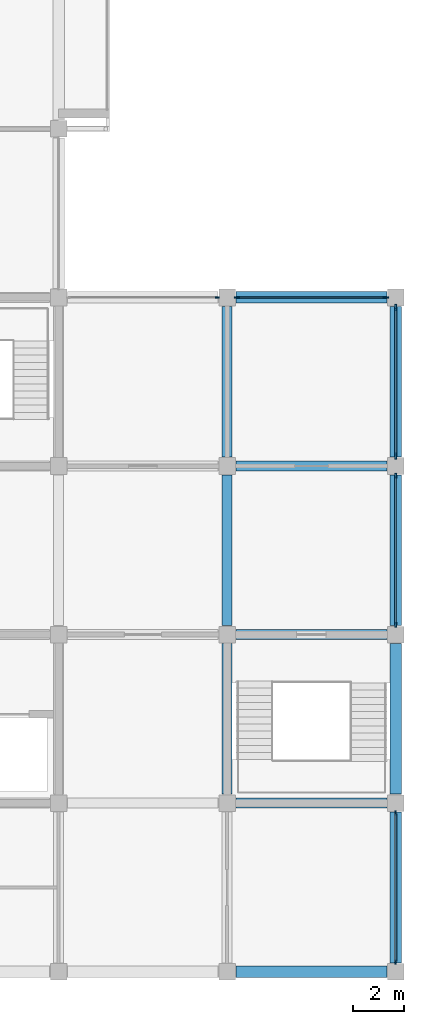
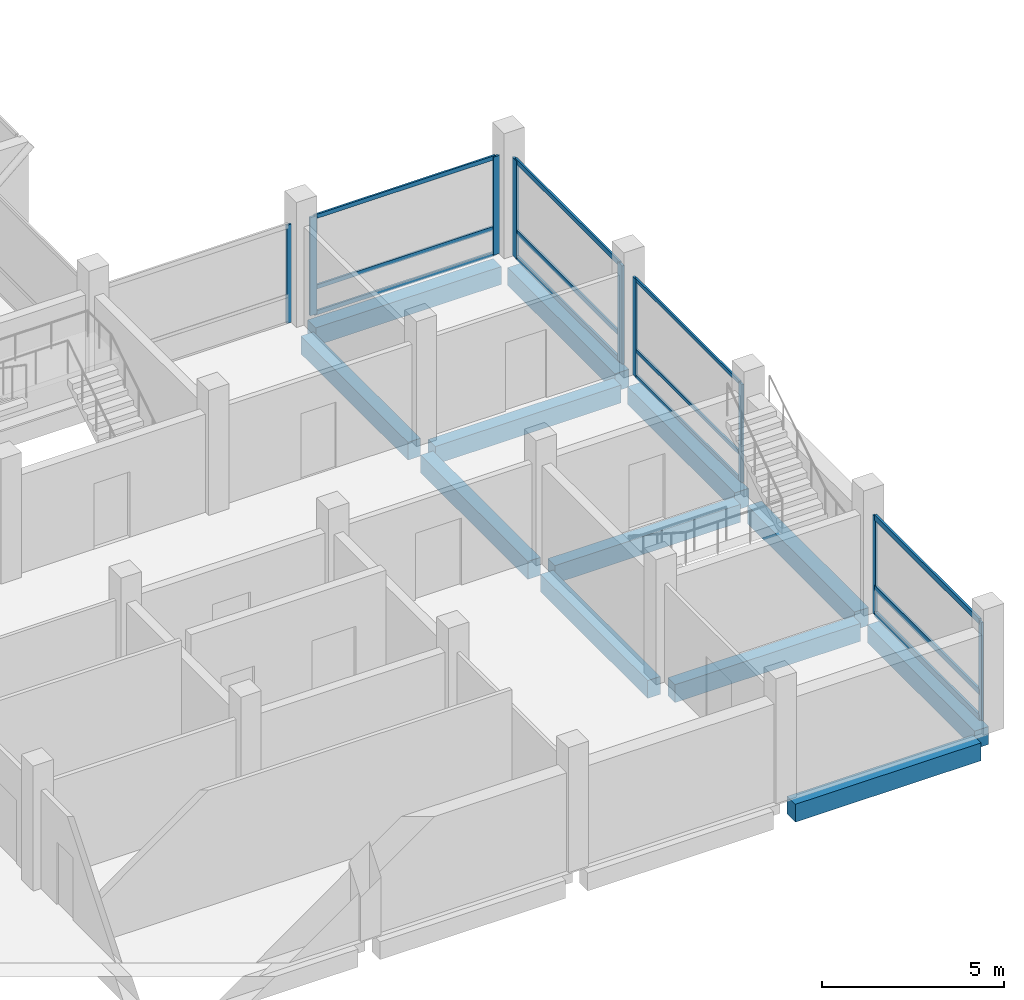
# One storey, part 3 of 10: 21 members, 12 beams, 5 elements without a shape of their own.
"""IFC4 building model written with IfcOpenShell, lengths in metres."""

from ifc_helpers import new_model, si_unit, direction, frame, origin, origin_2d, place, context, subcontext, project, spatial, rectangle, extrude, material, material_profile, profile_set, type_object, element, aggregate, save


model = new_model("IFC4")

# Units and contexts
model_context = context("Model", 3, precision=1e-05, world=origin(), true_north=direction((0.0, 1.0)))
body_context = subcontext(model_context, "Body", "Model", "MODEL_VIEW")
ifc_project = project(units=[si_unit("LENGTHUNIT", "METRE"), si_unit("AREAUNIT", "SQUARE_METRE"), si_unit("VOLUMEUNIT", "CUBIC_METRE"), si_unit("PLANEANGLEUNIT", "RADIAN"), si_unit("MASSUNIT", "GRAM", prefix="KILO")], contexts=[model_context])

# Site, building, storey
site_placement = place(None, origin())
site = spatial("IfcSite", under=ifc_project, at=site_placement, CompositionType="ELEMENT")
building_placement = place(site_placement, origin())
building = spatial("IfcBuilding", under=site, at=building_placement, Name="Rusizi Kubbe Research Institute", CompositionType="ELEMENT")
storey_placement = place(building_placement, frame((0.0, 0.0, 52.199951171875)))
storey = spatial("IfcBuildingStorey", under=building, at=storey_placement, Name="L12", CompositionType="ELEMENT", Elevation=52.199951171875)

# Beams
ifc_material_1 = material(Name="Concrete C40/50", Category="concrete")
ifc_material_profile_1 = material_profile(ifc_material_1, rectangle(XDim=0.39990234375, YDim=0.60009765625, at=origin_2d()), Name="RC400x600")
ifc_profile_set_1 = profile_set([ifc_material_profile_1], Name="Concrete C40/50")
beam_type_1 = type_object("IfcBeamType", Name="BM-RC400x600", PredefinedType="BEAM", material=ifc_profile_set_1)
for number, where, z_axis, x_axis, name in (
    (1, (33.35009765625, 6.60009765625, -0.60986328125), (1.0, 0.0, 0.0), (0.0, 1.0, 0.0), "Grid Beam H L12 (5,1)"),
    (2, (33.35009765625, 13.199951171875, -0.60986328125), (1.0, 0.0, 0.0), (0.0, 1.0, 0.0), "Grid Beam H L12 (5,2)"),
    (3, (33.35009765625, 19.800048828125, -0.60986328125), (1.0, 0.0, 0.0), (0.0, 1.0, 0.0), "Grid Beam H L12 (5,3)"),
):
    element("IfcBeam", number, at=place(storey_placement, frame(where, z_axis=z_axis, x_axis=x_axis)), inside=storey, type_object=beam_type_1, Name=name, PredefinedType="BEAM", context=body_context, shape_type="SweptSolid", body=[
        extrude(rectangle(XDim=0.39990234375, YDim=0.60009765625, at=origin_2d()), origin(), (0.0, 0.0, 1.0), 5.89990234375),
    ])
beam_1_placement = place(storey_placement, frame((33.0, 6.949951171875, -0.60986328125), z_axis=(0.0, 1.0, 0.0), x_axis=(-1.0, 0.0, 0.0)))
element("IfcBeam", 4, at=beam_1_placement, inside=storey, type_object=beam_type_1, Name="Grid Beam V L12 (5,1)", PredefinedType="BEAM", context=body_context, shape_type="SweptSolid", body=[
    extrude(rectangle(XDim=0.39990234375, YDim=0.60009765625, at=origin_2d()), origin(), (0.0, 0.0, 1.0), 5.900146484375),
])
beam_2_placement = place(storey_placement, frame((33.0, 13.550048828125, -0.60986328125), z_axis=(0.0, 1.0, 0.0), x_axis=(-1.0, 0.0, 0.0)))
element("IfcBeam", 5, at=beam_2_placement, inside=storey, type_object=beam_type_1, Name="Grid Beam V L12 (5,2)", PredefinedType="BEAM", context=body_context, shape_type="SweptSolid", body=[
    extrude(rectangle(XDim=0.39990234375, YDim=0.60009765625, at=origin_2d()), origin(), (0.0, 0.0, 1.0), 5.89990234375),
])
beam_3_placement = place(storey_placement, frame((33.0, 20.14990234375, -0.60986328125), z_axis=(0.0, 1.0, 0.0), x_axis=(-1.0, 0.0, 0.0)))
element("IfcBeam", 6, at=beam_3_placement, inside=storey, type_object=beam_type_1, Name="Grid Beam V L12 (5,3)", PredefinedType="BEAM", context=body_context, shape_type="SweptSolid", body=[
    extrude(rectangle(XDim=0.39990234375, YDim=0.60009765625, at=origin_2d()), origin(), (0.0, 0.0, 1.0), 5.900146484375),
])
ifc_material_2 = material(Name="Concrete C40/50", Category="concrete")
ifc_material_profile_2 = material_profile(ifc_material_2, rectangle(XDim=0.449951171875, YDim=0.60009765625, at=origin_2d()), Name="RC450x600")
ifc_profile_set_2 = profile_set([ifc_material_profile_2], Name="Concrete C40/50")
beam_type_2 = type_object("IfcBeamType", Name="BM-RC450x600", PredefinedType="SPANDREL", material=ifc_profile_set_2)
for number, where, z_axis, x_axis, name in (
    (7, (33.35009765625, 0.0, -0.60986328125), (1.0, 0.0, 0.0), (0.0, 1.0, 0.0), "Grid Beam H L12 (5,0)"),
    (8, (33.35009765625, 26.39990234375, -0.60986328125), (1.0, 0.0, 0.0), (0.0, 1.0, 0.0), "Grid Beam H L12 (5,4)"),
    (9, (39.60009765625, 0.35009765625, -0.60986328125), (0.0, 1.0, 0.0), (-1.0, 0.0, 0.0), "Grid Beam V L12 (6,0)"),
):
    element("IfcBeam", number, at=place(storey_placement, frame(where, z_axis=z_axis, x_axis=x_axis)), inside=storey, type_object=beam_type_2, Name=name, PredefinedType="SPANDREL", context=body_context, shape_type="SweptSolid", body=[
        extrude(rectangle(XDim=0.449951171875, YDim=0.60009765625, at=origin_2d()), origin(), (0.0, 0.0, 1.0), 5.89990234375),
    ])
beam_4_placement = place(storey_placement, frame((39.60009765625, 6.949951171875, -0.60986328125), z_axis=(0.0, 1.0, 0.0), x_axis=(-1.0, 0.0, 0.0)))
element("IfcBeam", 10, at=beam_4_placement, inside=storey, type_object=beam_type_2, Name="Grid Beam V L12 (6,1)", PredefinedType="SPANDREL", context=body_context, shape_type="SweptSolid", body=[
    extrude(rectangle(XDim=0.449951171875, YDim=0.60009765625, at=origin_2d()), origin(), (0.0, 0.0, 1.0), 5.900146484375),
])
beam_5_placement = place(storey_placement, frame((39.60009765625, 13.550048828125, -0.60986328125), z_axis=(0.0, 1.0, 0.0), x_axis=(-1.0, 0.0, 0.0)))
element("IfcBeam", 11, at=beam_5_placement, inside=storey, type_object=beam_type_2, Name="Grid Beam V L12 (6,2)", PredefinedType="SPANDREL", context=body_context, shape_type="SweptSolid", body=[
    extrude(rectangle(XDim=0.449951171875, YDim=0.60009765625, at=origin_2d()), origin(), (0.0, 0.0, 1.0), 5.89990234375),
])
beam_6_placement = place(storey_placement, frame((39.60009765625, 20.14990234375, -0.60986328125), z_axis=(0.0, 1.0, 0.0), x_axis=(-1.0, 0.0, 0.0)))
element("IfcBeam", 12, at=beam_6_placement, inside=storey, type_object=beam_type_2, Name="Grid Beam V L12 (6,3)", PredefinedType="SPANDREL", context=body_context, shape_type="SweptSolid", body=[
    extrude(rectangle(XDim=0.449951171875, YDim=0.60009765625, at=origin_2d()), origin(), (0.0, 0.0, 1.0), 5.900146484375),
])

# Curtain wall, member
ifc_material_3 = material(Name="Thermally Broken Aluminium and Low-E Glazing", Category="aluminium")
curtain_wall_type_1 = type_object("IfcCurtainWallType", Name="CW-15", PredefinedType="NOTDEFINED", material=ifc_material_3)
curtain_wall_1_placement = place(storey_placement, origin())
curtain_wall_1 = element("IfcCurtainWall", 13, at=curtain_wall_1_placement, inside=storey, type_object=curtain_wall_type_1, Name="Unitised Facade Curtain Wall CW-L12-H-04-04", PredefinedType="NOTDEFINED")
ifc_material_4 = material(Name="Aluminium Alloy 6063-T6", Category="aluminium")
ifc_material_profile_3 = material_profile(ifc_material_4, rectangle(XDim=0.06005859375, YDim=0.14990234375, at=origin_2d()), Name="ALU-M 60x150")
ifc_profile_set_3 = profile_set([ifc_material_profile_3], Name="Aluminium Alloy 6063-T6")
member_type_1 = type_object("IfcMemberType", Name="ML-01", PredefinedType="MULLION", material=ifc_profile_set_3)
member_1_placement = place(storey_placement, frame((32.614990234375, 26.39990234375, 0.0), z_axis=(0.0, 0.0, 1.0), x_axis=(0.0, 1.0, 0.0)))
member_1 = element("IfcMember", 14, at=member_1_placement, type_object=member_type_1, Name="CW-15 mullion 2", PredefinedType="MULLION", context=body_context, shape_type="SweptSolid", body=[
    extrude(rectangle(XDim=0.06005859375, YDim=0.14990234375, at=origin_2d()), origin(), (0.0, 0.0, 1.0), 3.300048828125),
])
aggregate(curtain_wall_1, [member_1])

# Curtain wall, members
ifc_material_5 = material(Name="Thermally Broken Aluminium and Low-E Glazing", Category="aluminium")
curtain_wall_type_2 = type_object("IfcCurtainWallType", Name="CW-14", PredefinedType="NOTDEFINED", material=ifc_material_5)
curtain_wall_2_placement = place(storey_placement, origin())
curtain_wall_2 = element("IfcCurtainWall", 15, at=curtain_wall_2_placement, inside=storey, type_object=curtain_wall_type_2, Name="Unitised Facade Curtain Wall CW-L12-V-06-00", PredefinedType="NOTDEFINED")
ifc_material_6 = material(Name="Aluminium Alloy 6063-T6", Category="aluminium")
ifc_material_profile_4 = material_profile(ifc_material_6, rectangle(XDim=0.06005859375, YDim=0.179931640625, at=origin_2d()), Name="ALU-M 60x180")
ifc_profile_set_4 = profile_set([ifc_material_profile_4], Name="Aluminium Alloy 6063-T6")
member_type_2 = type_object("IfcMemberType", Name="ML-02", PredefinedType="MULLION", material=ifc_profile_set_4)
member_2_placement = place(storey_placement, frame((39.60009765625, 0.385009765625, 0.0), z_axis=(0.0, 0.0, 1.0), x_axis=(-1.0, 0.0, 0.0)))
member_2 = element("IfcMember", 16, at=member_2_placement, type_object=member_type_2, Name="CW-14 mullion 1", PredefinedType="MULLION", context=body_context, shape_type="SweptSolid", body=[
    extrude(rectangle(XDim=0.06005859375, YDim=0.179931640625, at=origin_2d()), origin(), (0.0, 0.0, 1.0), 3.300048828125),
])
member_3_placement = place(storey_placement, frame((39.60009765625, 6.215087890625, 0.0), z_axis=(0.0, 0.0, 1.0), x_axis=(-1.0, 0.0, 0.0)))
member_3 = element("IfcMember", 17, at=member_3_placement, type_object=member_type_2, Name="CW-14 mullion 2", PredefinedType="MULLION", context=body_context, shape_type="SweptSolid", body=[
    extrude(rectangle(XDim=0.06005859375, YDim=0.179931640625, at=origin_2d()), origin(), (0.0, 0.0, 1.0), 3.300048828125),
])

curtain_wall_3_placement = place(storey_placement, origin())
curtain_wall_3 = element("IfcCurtainWall", 18, at=curtain_wall_3_placement, inside=storey, type_object=curtain_wall_type_1, Name="Unitised Facade Curtain Wall CW-L12-V-06-02", PredefinedType="NOTDEFINED")
ifc_material_7 = material(Name="Aluminium Alloy 6063-T6", Category="aluminium")
ifc_material_profile_5 = material_profile(ifc_material_7, rectangle(XDim=0.06494140625, YDim=0.199951171875, at=origin_2d()), Name="ALU-M 65x200")
ifc_profile_set_5 = profile_set([ifc_material_profile_5], Name="Aluminium Alloy 6063-T6")
member_type_3 = type_object("IfcMemberType", Name="ML-03", PredefinedType="MULLION", material=ifc_profile_set_5)
member_4_placement = place(storey_placement, frame((39.60009765625, 13.58740234375, 0.0), z_axis=(0.0, 0.0, 1.0), x_axis=(-1.0, 0.0, 0.0)))
member_4 = element("IfcMember", 19, at=member_4_placement, type_object=member_type_3, Name="CW-15 mullion 1", PredefinedType="MULLION", context=body_context, shape_type="SweptSolid", body=[
    extrude(rectangle(XDim=0.06494140625, YDim=0.199951171875, at=origin_2d()), origin(), (0.0, 0.0, 1.0), 3.300048828125),
])
member_5_placement = place(storey_placement, frame((39.60009765625, 19.41259765625, 0.0), z_axis=(0.0, 0.0, 1.0), x_axis=(-1.0, 0.0, 0.0)))
member_5 = element("IfcMember", 20, at=member_5_placement, type_object=member_type_3, Name="CW-15 mullion 2", PredefinedType="MULLION", context=body_context, shape_type="SweptSolid", body=[
    extrude(rectangle(XDim=0.06494140625, YDim=0.199951171875, at=origin_2d()), origin(), (0.0, 0.0, 1.0), 3.300048828125),
])

curtain_wall_4_placement = place(storey_placement, origin())
curtain_wall_4 = element("IfcCurtainWall", 21, at=curtain_wall_4_placement, inside=storey, type_object=curtain_wall_type_2, Name="Unitised Facade Curtain Wall CW-L12-H-05-04", PredefinedType="NOTDEFINED")
ifc_material_8 = material(Name="Aluminium Alloy 6063-T6", Category="aluminium")
ifc_material_profile_6 = material_profile(ifc_material_8, rectangle(XDim=0.070068359375, YDim=0.219970703125, at=origin_2d()), Name="ALU-M 70x220")
ifc_profile_set_6 = profile_set([ifc_material_profile_6], Name="Aluminium Alloy 6063-T6")
member_type_4 = type_object("IfcMemberType", Name="ML-04", PredefinedType="MULLION", material=ifc_profile_set_6)
member_6_placement = place(storey_placement, frame((33.389892578125, 26.39990234375, 0.0), z_axis=(0.0, 0.0, 1.0), x_axis=(0.0, 1.0, 0.0)))
member_6 = element("IfcMember", 22, at=member_6_placement, type_object=member_type_4, Name="CW-14 mullion 1", PredefinedType="MULLION", context=body_context, shape_type="SweptSolid", body=[
    extrude(rectangle(XDim=0.070068359375, YDim=0.219970703125, at=origin_2d()), origin(), (0.0, 0.0, 1.0), 3.300048828125),
])
member_7_placement = place(storey_placement, frame((39.2099609375, 26.39990234375, 0.0), z_axis=(0.0, 0.0, 1.0), x_axis=(0.0, 1.0, 0.0)))
member_7 = element("IfcMember", 23, at=member_7_placement, type_object=member_type_4, Name="CW-14 mullion 2", PredefinedType="MULLION", context=body_context, shape_type="SweptSolid", body=[
    extrude(rectangle(XDim=0.070068359375, YDim=0.219970703125, at=origin_2d()), origin(), (0.0, 0.0, 1.0), 3.300048828125),
])

curtain_wall_5_placement = place(storey_placement, origin())
curtain_wall_5 = element("IfcCurtainWall", 24, at=curtain_wall_5_placement, inside=storey, type_object=curtain_wall_type_1, Name="Unitised Facade Curtain Wall CW-L12-V-06-03", PredefinedType="NOTDEFINED")
ifc_material_9 = material(Name="Aluminium Alloy 6063-T6", Category="aluminium")
ifc_material_profile_7 = material_profile(ifc_material_9, rectangle(XDim=0.074951171875, YDim=0.25, at=origin_2d()), Name="ALU-M 75x250")
ifc_profile_set_7 = profile_set([ifc_material_profile_7], Name="Aluminium Alloy 6063-T6")
member_type_5 = type_object("IfcMemberType", Name="ML-05", PredefinedType="MULLION", material=ifc_profile_set_7)
member_8_placement = place(storey_placement, frame((39.60009765625, 20.1923828125, 0.0), z_axis=(0.0, 0.0, 1.0), x_axis=(-1.0, 0.0, 0.0)))
member_8 = element("IfcMember", 25, at=member_8_placement, type_object=member_type_5, Name="CW-15 mullion 1", PredefinedType="MULLION", context=body_context, shape_type="SweptSolid", body=[
    extrude(rectangle(XDim=0.074951171875, YDim=0.25, at=origin_2d()), origin(), (0.0, 0.0, 1.0), 3.300048828125),
])
member_9_placement = place(storey_placement, frame((39.60009765625, 26.007568359375, 0.0), z_axis=(0.0, 0.0, 1.0), x_axis=(-1.0, 0.0, 0.0)))
member_9 = element("IfcMember", 26, at=member_9_placement, type_object=member_type_5, Name="CW-15 mullion 2", PredefinedType="MULLION", context=body_context, shape_type="SweptSolid", body=[
    extrude(rectangle(XDim=0.074951171875, YDim=0.25, at=origin_2d()), origin(), (0.0, 0.0, 1.0), 3.300048828125),
])

# Member
ifc_material_10 = material(Name="Aluminium Alloy 6063-T6", Category="aluminium")
ifc_material_profile_8 = material_profile(ifc_material_10, rectangle(XDim=0.06005859375, YDim=0.1201171875, at=origin_2d()), Name="ALU-T 60x120")
ifc_profile_set_8 = profile_set([ifc_material_profile_8], Name="Aluminium Alloy 6063-T6")
member_type_6 = type_object("IfcMemberType", Name="TR-01", PredefinedType="USERDEFINED", material=ifc_profile_set_8)
member_10_placement = place(storey_placement, frame((39.60009765625, 13.6201171875, 0.030029296875), z_axis=(0.0, 1.0, 0.0), x_axis=(-1.0, 0.0, 0.0)))
member_10 = element("IfcMember", 27, at=member_10_placement, type_object=member_type_6, Name="CW-15 transom 1.1", ObjectType="TRANSOM", PredefinedType="USERDEFINED", context=body_context, shape_type="SweptSolid", body=[
    extrude(rectangle(XDim=0.06005859375, YDim=0.1201171875, at=origin_2d()), origin(), (0.0, 0.0, 1.0), 5.759765625),
])

member_11_placement = place(storey_placement, frame((39.60009765625, 13.6201171875, 0.900146484375), z_axis=(0.0, 1.0, 0.0), x_axis=(-1.0, 0.0, 0.0)))
member_11 = element("IfcMember", 28, at=member_11_placement, type_object=member_type_6, Name="CW-15 transom 1.2", ObjectType="TRANSOM", PredefinedType="USERDEFINED", context=body_context, shape_type="SweptSolid", body=[
    extrude(rectangle(XDim=0.06005859375, YDim=0.1201171875, at=origin_2d()), origin(), (0.0, 0.0, 1.0), 5.759765625),
])

member_12_placement = place(storey_placement, frame((39.60009765625, 13.6201171875, 3.27001953125), z_axis=(0.0, 1.0, 0.0), x_axis=(-1.0, 0.0, 0.0)))
member_12 = element("IfcMember", 29, at=member_12_placement, type_object=member_type_6, Name="CW-15 transom 1.3", ObjectType="TRANSOM", PredefinedType="USERDEFINED", context=body_context, shape_type="SweptSolid", body=[
    extrude(rectangle(XDim=0.06005859375, YDim=0.1201171875, at=origin_2d()), origin(), (0.0, 0.0, 1.0), 5.759765625),
])

aggregate(curtain_wall_3, [member_4, member_5, member_10, member_11, member_12])

ifc_material_11 = material(Name="Aluminium Alloy 6063-T6", Category="aluminium")
ifc_material_profile_9 = material_profile(ifc_material_11, rectangle(XDim=0.06005859375, YDim=0.139892578125, at=origin_2d()), Name="ALU-T 60x140")
ifc_profile_set_9 = profile_set([ifc_material_profile_9], Name="Aluminium Alloy 6063-T6")
member_type_7 = type_object("IfcMemberType", Name="TR-02", PredefinedType="USERDEFINED", material=ifc_profile_set_9)
member_13_placement = place(storey_placement, frame((33.425048828125, 26.39990234375, 0.030029296875), z_axis=(1.0, 0.0, 0.0), x_axis=(0.0, 1.0, 0.0)))
member_13 = element("IfcMember", 30, at=member_13_placement, type_object=member_type_7, Name="CW-14 transom 1.1", ObjectType="TRANSOM", PredefinedType="USERDEFINED", context=body_context, shape_type="SweptSolid", body=[
    extrude(rectangle(XDim=0.06005859375, YDim=0.139892578125, at=origin_2d()), origin(), (0.0, 0.0, 1.0), 5.75),
])

member_14_placement = place(storey_placement, frame((33.425048828125, 26.39990234375, 0.900146484375), z_axis=(1.0, 0.0, 0.0), x_axis=(0.0, 1.0, 0.0)))
member_14 = element("IfcMember", 31, at=member_14_placement, type_object=member_type_7, Name="CW-14 transom 1.2", ObjectType="TRANSOM", PredefinedType="USERDEFINED", context=body_context, shape_type="SweptSolid", body=[
    extrude(rectangle(XDim=0.06005859375, YDim=0.139892578125, at=origin_2d()), origin(), (0.0, 0.0, 1.0), 5.75),
])

member_15_placement = place(storey_placement, frame((33.425048828125, 26.39990234375, 3.27001953125), z_axis=(1.0, 0.0, 0.0), x_axis=(0.0, 1.0, 0.0)))
member_15 = element("IfcMember", 32, at=member_15_placement, type_object=member_type_7, Name="CW-14 transom 1.3", ObjectType="TRANSOM", PredefinedType="USERDEFINED", context=body_context, shape_type="SweptSolid", body=[
    extrude(rectangle(XDim=0.06005859375, YDim=0.139892578125, at=origin_2d()), origin(), (0.0, 0.0, 1.0), 5.75),
])

aggregate(curtain_wall_4, [member_6, member_7, member_13, member_14, member_15])

ifc_material_12 = material(Name="Aluminium Alloy 6063-T6", Category="aluminium")
ifc_material_profile_10 = material_profile(ifc_material_12, rectangle(XDim=0.06494140625, YDim=0.159912109375, at=origin_2d()), Name="ALU-T 65x160")
ifc_profile_set_10 = profile_set([ifc_material_profile_10], Name="Aluminium Alloy 6063-T6")
member_type_8 = type_object("IfcMemberType", Name="TR-03", PredefinedType="USERDEFINED", material=ifc_profile_set_10)
member_16_placement = place(storey_placement, frame((39.60009765625, 20.22998046875, 0.032470703125), z_axis=(0.0, 1.0, 0.0), x_axis=(-1.0, 0.0, 0.0)))
member_16 = element("IfcMember", 33, at=member_16_placement, type_object=member_type_8, Name="CW-15 transom 1.1", ObjectType="TRANSOM", PredefinedType="USERDEFINED", context=body_context, shape_type="SweptSolid", body=[
    extrude(rectangle(XDim=0.06494140625, YDim=0.159912109375, at=origin_2d()), origin(), (0.0, 0.0, 1.0), 5.739990234375),
])

member_17_placement = place(storey_placement, frame((39.60009765625, 20.22998046875, 0.900146484375), z_axis=(0.0, 1.0, 0.0), x_axis=(-1.0, 0.0, 0.0)))
member_17 = element("IfcMember", 34, at=member_17_placement, type_object=member_type_8, Name="CW-15 transom 1.2", ObjectType="TRANSOM", PredefinedType="USERDEFINED", context=body_context, shape_type="SweptSolid", body=[
    extrude(rectangle(XDim=0.06494140625, YDim=0.159912109375, at=origin_2d()), origin(), (0.0, 0.0, 1.0), 5.739990234375),
])

member_18_placement = place(storey_placement, frame((39.60009765625, 20.22998046875, 3.267578125), z_axis=(0.0, 1.0, 0.0), x_axis=(-1.0, 0.0, 0.0)))
member_18 = element("IfcMember", 35, at=member_18_placement, type_object=member_type_8, Name="CW-15 transom 1.3", ObjectType="TRANSOM", PredefinedType="USERDEFINED", context=body_context, shape_type="SweptSolid", body=[
    extrude(rectangle(XDim=0.06494140625, YDim=0.159912109375, at=origin_2d()), origin(), (0.0, 0.0, 1.0), 5.739990234375),
])

aggregate(curtain_wall_5, [member_8, member_9, member_16, member_17, member_18])

ifc_material_13 = material(Name="Aluminium Alloy 6063-T6", Category="aluminium")
ifc_material_profile_11 = material_profile(ifc_material_13, rectangle(XDim=0.070068359375, YDim=0.18994140625, at=origin_2d()), Name="ALU-T 70x190")
ifc_profile_set_11 = profile_set([ifc_material_profile_11], Name="Aluminium Alloy 6063-T6")
member_type_9 = type_object("IfcMemberType", Name="TR-04", PredefinedType="USERDEFINED", material=ifc_profile_set_11)
member_19_placement = place(storey_placement, frame((39.60009765625, 0.4150390625, 0.03515625), z_axis=(0.0, 1.0, 0.0), x_axis=(-1.0, 0.0, 0.0)))
member_19 = element("IfcMember", 36, at=member_19_placement, type_object=member_type_9, Name="CW-14 transom 1.1", ObjectType="TRANSOM", PredefinedType="USERDEFINED", context=body_context, shape_type="SweptSolid", body=[
    extrude(rectangle(XDim=0.070068359375, YDim=0.18994140625, at=origin_2d()), origin(), (0.0, 0.0, 1.0), 5.77001953125),
])

member_20_placement = place(storey_placement, frame((39.60009765625, 0.4150390625, 0.900146484375), z_axis=(0.0, 1.0, 0.0), x_axis=(-1.0, 0.0, 0.0)))
member_20 = element("IfcMember", 37, at=member_20_placement, type_object=member_type_9, Name="CW-14 transom 1.2", ObjectType="TRANSOM", PredefinedType="USERDEFINED", context=body_context, shape_type="SweptSolid", body=[
    extrude(rectangle(XDim=0.070068359375, YDim=0.18994140625, at=origin_2d()), origin(), (0.0, 0.0, 1.0), 5.77001953125),
])

member_21_placement = place(storey_placement, frame((39.60009765625, 0.4150390625, 3.26513671875), z_axis=(0.0, 1.0, 0.0), x_axis=(-1.0, 0.0, 0.0)))
member_21 = element("IfcMember", 38, at=member_21_placement, type_object=member_type_9, Name="CW-14 transom 1.3", ObjectType="TRANSOM", PredefinedType="USERDEFINED", context=body_context, shape_type="SweptSolid", body=[
    extrude(rectangle(XDim=0.070068359375, YDim=0.18994140625, at=origin_2d()), origin(), (0.0, 0.0, 1.0), 5.77001953125),
])

aggregate(curtain_wall_2, [member_2, member_3, member_19, member_20, member_21])

save(model, "model.ifc")
